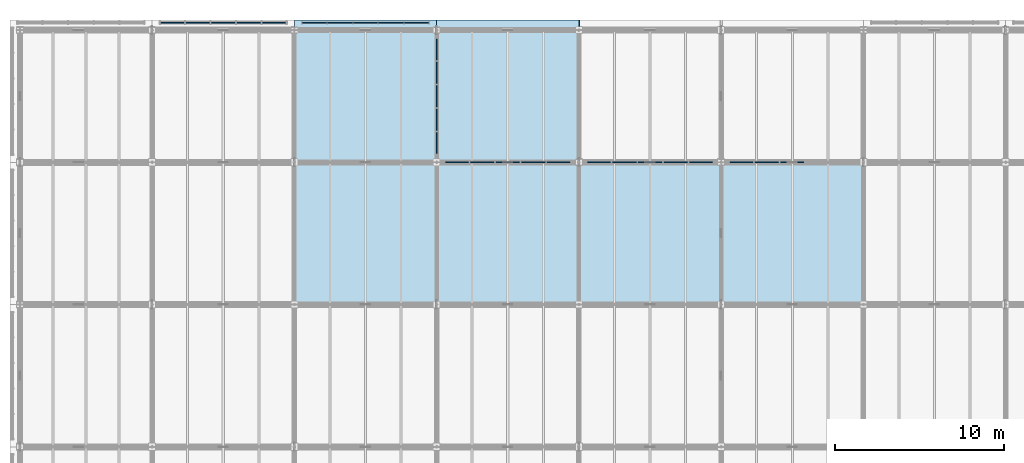
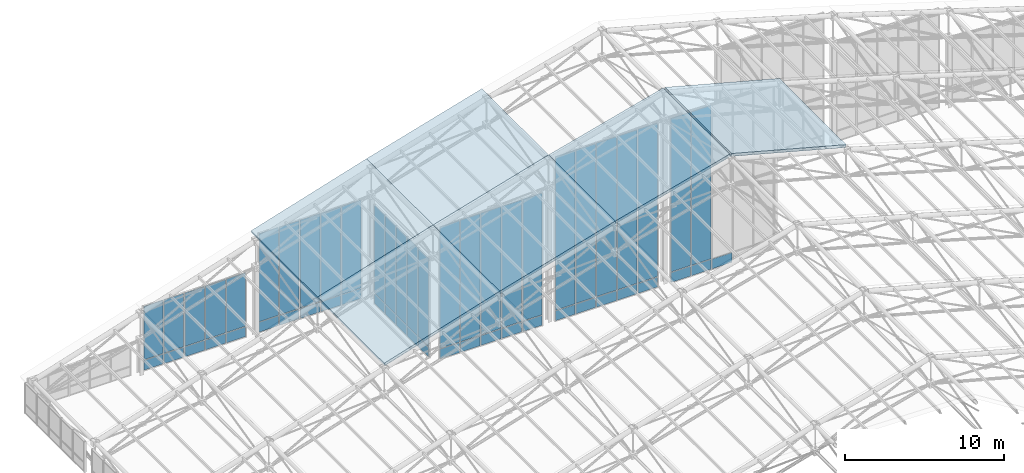
# One storey, part 109 of 144: 55 plates, 6 slabs, 6 elements without a shape of their own.
"""IFC4 building model written with IfcOpenShell, lengths in metres."""

from ifc_helpers import new_model, si_unit, direction, frame, origin, origin_2d, place, context, subcontext, project, spatial, polyline, rectangle, outline, extrude, material, layer, layer_set, type_object, element, aggregate, save


model = new_model("IFC4")

# Units and contexts
model_context = context("Model", 3, precision=1e-05, world=origin(), true_north=direction((0.0, 1.0)))
body_context = subcontext(model_context, "Body", "Model", "MODEL_VIEW")
ifc_project = project(units=[si_unit("LENGTHUNIT", "METRE"), si_unit("AREAUNIT", "SQUARE_METRE"), si_unit("VOLUMEUNIT", "CUBIC_METRE"), si_unit("PLANEANGLEUNIT", "RADIAN"), si_unit("MASSUNIT", "GRAM", prefix="KILO")], contexts=[model_context])

# Site, building, storey
site_placement = place(None, origin())
site = spatial("IfcSite", under=ifc_project, at=site_placement, CompositionType="ELEMENT")
building_placement = place(site_placement, origin())
building = spatial("IfcBuilding", under=site, at=building_placement, Name="Zayran Congress Hotel", CompositionType="ELEMENT")
storey_placement = place(building_placement, frame((0.0, 0.0, 19.199951171875)))
storey = spatial("IfcBuildingStorey", under=building, at=storey_placement, Name="L04", CompositionType="ELEMENT", Elevation=19.199951171875)

# Slabs
ifc_material_1 = material(Name="Concrete C32/40", Category="concrete")
ifc_layer_1 = layer(ifc_material_1, 0.219970703125)
ifc_layer_set_1 = layer_set([ifc_layer_1], Name="Concrete C32/40")
slab_type = type_object("IfcSlabType", Name="SL-RF-220", PredefinedType="ROOF", material=ifc_layer_set_1)
slab_1_placement = place(storey_placement, frame((25.199951171875, 101.199951171875, 7.699951171875), z_axis=(-0.29568915739, 0.0, 0.955284210171), x_axis=(0.955284210171, 0.0, 0.29568915739)))
element("IfcSlab", 1, at=slab_1_placement, inside=storey, type_object=slab_type, Name="V1 Vaulted Roof Facet 3-5", PredefinedType="ROOF", context=body_context, shape_type="SweptSolid", body=[
    extrude(outline(polyline([(0.0, 0.0), (8.793347984754979, 0.0), (8.793347984754979, 8.400146484375), (0.0, 8.400146484375), (0.0, 0.0)])), origin(), (0.0, 0.0, -1.0), 0.219970703125),
])
slab_2_placement = place(storey_placement, frame((25.199951171875, 109.60009765625, 7.699951171875), z_axis=(-0.29568915739, 0.0, 0.955284210171), x_axis=(0.955284210171, 0.0, 0.29568915739)))
element("IfcSlab", 2, at=slab_2_placement, inside=storey, type_object=slab_type, Name="V1 Vaulted Roof Facet 3-6", PredefinedType="ROOF", context=body_context, shape_type="SweptSolid", body=[
    extrude(outline(polyline([(0.0, 0.0), (8.793347984754979, 0.0), (8.793347984754979, 8.39990234375), (0.0, 8.39990234375), (0.0, 0.0)])), origin(), (0.0, 0.0, -1.0), 0.219970703125),
])
slab_3_placement = place(storey_placement, frame((33.60009765625, 101.199951171875, 10.300048828125), z_axis=(-0.279997857116, 0.0, 0.960000625005), x_axis=(0.960000625005, 0.0, 0.279997857116)))
element("IfcSlab", 3, at=slab_3_placement, inside=storey, type_object=slab_type, Name="V1 Vaulted Roof Facet 4-5", PredefinedType="ROOF", context=body_context, shape_type="SweptSolid", body=[
    extrude(outline(polyline([(0.0, 0.0), (8.749892578146799, 0.0), (8.749892578146799, 8.400146484375), (0.0, 8.400146484375), (0.0, 0.0)])), origin(), (0.0, 0.0, -1.0), 0.219970703125),
])
slab_4_placement = place(storey_placement, frame((33.60009765625, 109.60009765625, 10.300048828125), z_axis=(-0.279997857116, 0.0, 0.960000625005), x_axis=(0.960000625005, 0.0, 0.279997857116)))
element("IfcSlab", 4, at=slab_4_placement, inside=storey, type_object=slab_type, Name="V1 Vaulted Roof Facet 4-6", PredefinedType="ROOF", context=body_context, shape_type="SweptSolid", body=[
    extrude(outline(polyline([(0.0, 0.0), (8.749892578146799, 0.0), (8.749892578146799, 8.399902343750002), (0.0, 8.399902343750002), (0.0, 0.0)])), origin(), (0.0, 0.0, -1.0), 0.219970703125),
])
for number, where, z_axis, x_axis, name in (
    (5, (42.0, 101.199951171875, 12.75), (-0.258745513625, 0.0, 0.965945525989), (0.965945525989, 0.0, 0.258745513625), "V1 Vaulted Roof Facet 5-5"),
    (6, (50.465087890625, 101.199951171875, 14.982666015625), (0.258745513625, 0.0, 0.965945525989), (0.965945525989, 0.0, -0.258745513625), "V1 Vaulted Roof Facet 6-5"),
):
    element("IfcSlab", number, at=place(storey_placement, frame(where, z_axis=z_axis, x_axis=x_axis)), inside=storey, type_object=slab_type, Name=name, PredefinedType="ROOF", context=body_context, shape_type="SweptSolid", body=[
        extrude(outline(polyline([(0.0, 0.0), (8.628810541840496, 0.0), (8.628810541840496, 8.400146484375), (0.0, 8.400146484375), (0.0, 0.0)])), origin(), (0.0, 0.0, -1.0), 0.219970703125),
    ])

# Curtain wall, plates
ifc_material_2 = material(Name="Anodised aluminium and low-E insulated glass", Category="aluminium")
ifc_layer_2 = layer(ifc_material_2, 0.179931640625)
ifc_layer_set_2 = layer_set([ifc_layer_2], Name="Anodised aluminium and low-E insulated glass")
curtain_wall_type_1 = type_object("IfcCurtainWallType", Name="CW-V1CL-L04-CW-24-6960-7670", PredefinedType="USERDEFINED", material=ifc_layer_set_2)
curtain_wall_1_placement = place(storey_placement, origin())
curtain_wall_1 = element("IfcCurtainWall", 7, at=curtain_wall_1_placement, inside=storey, type_object=curtain_wall_type_1, Name="CW-V1CLNW", ObjectType="CURTAIN WALL", PredefinedType="USERDEFINED")
ifc_material_3 = material(Name="Insulated warm bronze aluminium spandrel panel", Category="aluminium")
ifc_layer_3 = layer(ifc_material_3, 0.06005859375)
ifc_layer_set_3 = layer_set([ifc_layer_3], Name="Insulated warm bronze aluminium spandrel panel")
plate_type_1 = type_object("IfcPlateType", Name="CWP-SP-1272-750", PredefinedType="CURTAIN_PANEL", material=ifc_layer_set_3)
plate_1_placement = place(storey_placement, frame((33.60009765625, 110.736083984375, -0.159912109375), z_axis=(0.0, 0.0, 1.0), x_axis=(0.0, 1.0, 0.0)))
plate_1 = element("IfcPlate", 8, at=plate_1_placement, type_object=plate_type_1, Name="CW-24 Spandrel Panel 1", PredefinedType="CURTAIN_PANEL", context=body_context, shape_type="SweptSolid", body=[
    extrude(rectangle(XDim=1.27197265625, YDim=0.06005859375, at=origin_2d()), origin(), (0.0, 0.0, 1.0), 0.75),
])
plate_2_placement = place(storey_placement, frame((33.60009765625, 112.10791015625, -0.159912109375), z_axis=(0.0, 0.0, 1.0), x_axis=(0.0, 1.0, 0.0)))
plate_2 = element("IfcPlate", 9, at=plate_2_placement, type_object=plate_type_1, Name="CW-24 Spandrel Panel 2", PredefinedType="CURTAIN_PANEL", context=body_context, shape_type="SweptSolid", body=[
    extrude(rectangle(XDim=1.31201171875, YDim=0.06005859375, at=origin_2d()), origin(), (0.0, 0.0, 1.0), 0.75),
])
plate_3_placement = place(storey_placement, frame((33.60009765625, 113.5, -0.159912109375), z_axis=(0.0, 0.0, 1.0), x_axis=(0.0, 1.0, 0.0)))
plate_3 = element("IfcPlate", 10, at=plate_3_placement, type_object=plate_type_1, Name="CW-24 Spandrel Panel 3", PredefinedType="CURTAIN_PANEL", context=body_context, shape_type="SweptSolid", body=[
    extrude(rectangle(XDim=1.31201171875, YDim=0.06005859375, at=origin_2d()), origin(), (0.0, 0.0, 1.0), 0.75),
])
plate_4_placement = place(storey_placement, frame((33.60009765625, 114.89208984375, -0.159912109375), z_axis=(0.0, 0.0, 1.0), x_axis=(0.0, 1.0, 0.0)))
plate_4 = element("IfcPlate", 11, at=plate_4_placement, type_object=plate_type_1, Name="CW-24 Spandrel Panel 4", PredefinedType="CURTAIN_PANEL", context=body_context, shape_type="SweptSolid", body=[
    extrude(rectangle(XDim=1.31201171875, YDim=0.06005859375, at=origin_2d()), origin(), (0.0, 0.0, 1.0), 0.75),
])
plate_5_placement = place(storey_placement, frame((33.60009765625, 116.263916015625, -0.159912109375), z_axis=(0.0, 0.0, 1.0), x_axis=(0.0, 1.0, 0.0)))
plate_5 = element("IfcPlate", 12, at=plate_5_placement, type_object=plate_type_1, Name="CW-24 Spandrel Panel 5", PredefinedType="CURTAIN_PANEL", context=body_context, shape_type="SweptSolid", body=[
    extrude(rectangle(XDim=1.27197265625, YDim=0.06005859375, at=origin_2d()), origin(), (0.0, 0.0, 1.0), 0.75),
])

ifc_layer_4 = layer(ifc_material_2, 0.179931640625)
ifc_layer_set_4 = layer_set([ifc_layer_4], Name="Anodised aluminium and low-E insulated glass")
curtain_wall_type_2 = type_object("IfcCurtainWallType", Name="CW-V1CL-L04-CW-22-7560-5020", PredefinedType="USERDEFINED", material=ifc_layer_set_4)
curtain_wall_2_placement = place(storey_placement, origin())
curtain_wall_2 = element("IfcCurtainWall", 13, at=curtain_wall_2_placement, inside=storey, type_object=curtain_wall_type_2, Name="CW-V1CLN-1", ObjectType="CURTAIN WALL", PredefinedType="USERDEFINED")
ifc_layer_5 = layer(ifc_material_3, 0.06005859375)
ifc_layer_set_5 = layer_set([ifc_layer_5], Name="Insulated warm bronze aluminium spandrel panel")
plate_type_2 = type_object("IfcPlateType", Name="CWP-SP-1392-750", PredefinedType="CURTAIN_PANEL", material=ifc_layer_set_5)
plate_6_placement = place(storey_placement, frame((24.00390625, 117.85009765625, -0.159912109375), z_axis=(0.0, 0.0, 1.0), x_axis=(1.0, 0.0, 0.0)))
plate_6 = element("IfcPlate", 14, at=plate_6_placement, type_object=plate_type_2, Name="CW-22 Spandrel Panel 1", PredefinedType="CURTAIN_PANEL", context=body_context, shape_type="SweptSolid", body=[
    extrude(rectangle(XDim=1.39208984375, YDim=0.06005859375, at=origin_2d()), origin(), (0.0, 0.0, 1.0), 0.75),
])
plate_7_placement = place(storey_placement, frame((22.511962890625, 117.85009765625, -0.159912109375), z_axis=(0.0, 0.0, 1.0), x_axis=(1.0, 0.0, 0.0)))
plate_7 = element("IfcPlate", 15, at=plate_7_placement, type_object=plate_type_2, Name="CW-22 Spandrel Panel 2", PredefinedType="CURTAIN_PANEL", context=body_context, shape_type="SweptSolid", body=[
    extrude(rectangle(XDim=1.431884765625, YDim=0.06005859375, at=origin_2d()), origin(), (0.0, 0.0, 1.0), 0.75),
])
plate_8_placement = place(storey_placement, frame((21.0, 117.85009765625, -0.159912109375), z_axis=(0.0, 0.0, 1.0), x_axis=(1.0, 0.0, 0.0)))
plate_8 = element("IfcPlate", 16, at=plate_8_placement, type_object=plate_type_2, Name="CW-22 Spandrel Panel 3", PredefinedType="CURTAIN_PANEL", context=body_context, shape_type="SweptSolid", body=[
    extrude(rectangle(XDim=1.431884765625, YDim=0.06005859375, at=origin_2d()), origin(), (0.0, 0.0, 1.0), 0.75),
])
plate_9_placement = place(storey_placement, frame((19.488037109375, 117.85009765625, -0.159912109375), z_axis=(0.0, 0.0, 1.0), x_axis=(1.0, 0.0, 0.0)))
plate_9 = element("IfcPlate", 17, at=plate_9_placement, type_object=plate_type_2, Name="CW-22 Spandrel Panel 4", PredefinedType="CURTAIN_PANEL", context=body_context, shape_type="SweptSolid", body=[
    extrude(rectangle(XDim=1.431884765625, YDim=0.06005859375, at=origin_2d()), origin(), (0.0, 0.0, 1.0), 0.75),
])
plate_10_placement = place(storey_placement, frame((17.99609375, 117.85009765625, -0.159912109375), z_axis=(0.0, 0.0, 1.0), x_axis=(1.0, 0.0, 0.0)))
plate_10 = element("IfcPlate", 18, at=plate_10_placement, type_object=plate_type_2, Name="CW-22 Spandrel Panel 5", PredefinedType="CURTAIN_PANEL", context=body_context, shape_type="SweptSolid", body=[
    extrude(rectangle(XDim=1.39208984375, YDim=0.06005859375, at=origin_2d()), origin(), (0.0, 0.0, 1.0), 0.75),
])

ifc_layer_6 = layer(ifc_material_2, 0.179931640625)
ifc_layer_set_6 = layer_set([ifc_layer_6], Name="Anodised aluminium and low-E insulated glass")
curtain_wall_type_3 = type_object("IfcCurtainWallType", Name="CW-V1CL-L04-CW-23-7560-7670", PredefinedType="USERDEFINED", material=ifc_layer_set_6)
curtain_wall_3_placement = place(storey_placement, origin())
curtain_wall_3 = element("IfcCurtainWall", 19, at=curtain_wall_3_placement, inside=storey, type_object=curtain_wall_type_3, Name="CW-V1CLN-2", ObjectType="CURTAIN WALL", PredefinedType="USERDEFINED")
plate_11_placement = place(storey_placement, frame((32.404052734375, 117.85009765625, -0.159912109375), z_axis=(0.0, 0.0, 1.0), x_axis=(1.0, 0.0, 0.0)))
plate_11 = element("IfcPlate", 20, at=plate_11_placement, type_object=plate_type_2, Name="CW-23 Spandrel Panel 1", PredefinedType="CURTAIN_PANEL", context=body_context, shape_type="SweptSolid", body=[
    extrude(rectangle(XDim=1.39208984375, YDim=0.06005859375, at=origin_2d()), origin(), (0.0, 0.0, 1.0), 0.75),
])
plate_12_placement = place(storey_placement, frame((30.912109375, 117.85009765625, -0.159912109375), z_axis=(0.0, 0.0, 1.0), x_axis=(1.0, 0.0, 0.0)))
plate_12 = element("IfcPlate", 21, at=plate_12_placement, type_object=plate_type_2, Name="CW-23 Spandrel Panel 2", PredefinedType="CURTAIN_PANEL", context=body_context, shape_type="SweptSolid", body=[
    extrude(rectangle(XDim=1.431884765625, YDim=0.06005859375, at=origin_2d()), origin(), (0.0, 0.0, 1.0), 0.75),
])
plate_13_placement = place(storey_placement, frame((29.39990234375, 117.85009765625, -0.159912109375), z_axis=(0.0, 0.0, 1.0), x_axis=(1.0, 0.0, 0.0)))
plate_13 = element("IfcPlate", 22, at=plate_13_placement, type_object=plate_type_2, Name="CW-23 Spandrel Panel 3", PredefinedType="CURTAIN_PANEL", context=body_context, shape_type="SweptSolid", body=[
    extrude(rectangle(XDim=1.431884765625, YDim=0.06005859375, at=origin_2d()), origin(), (0.0, 0.0, 1.0), 0.75),
])
plate_14_placement = place(storey_placement, frame((27.887939453125, 117.85009765625, -0.159912109375), z_axis=(0.0, 0.0, 1.0), x_axis=(1.0, 0.0, 0.0)))
plate_14 = element("IfcPlate", 23, at=plate_14_placement, type_object=plate_type_2, Name="CW-23 Spandrel Panel 4", PredefinedType="CURTAIN_PANEL", context=body_context, shape_type="SweptSolid", body=[
    extrude(rectangle(XDim=1.431884765625, YDim=0.06005859375, at=origin_2d()), origin(), (0.0, 0.0, 1.0), 0.75),
])
plate_15_placement = place(storey_placement, frame((26.39599609375, 117.85009765625, -0.159912109375), z_axis=(0.0, 0.0, 1.0), x_axis=(1.0, 0.0, 0.0)))
plate_15 = element("IfcPlate", 24, at=plate_15_placement, type_object=plate_type_2, Name="CW-23 Spandrel Panel 5", PredefinedType="CURTAIN_PANEL", context=body_context, shape_type="SweptSolid", body=[
    extrude(rectangle(XDim=1.39208984375, YDim=0.06005859375, at=origin_2d()), origin(), (0.0, 0.0, 1.0), 0.75),
])

ifc_layer_7 = layer(ifc_material_2, 0.179931640625)
ifc_layer_set_7 = layer_set([ifc_layer_7], Name="Anodised aluminium and low-E insulated glass")
curtain_wall_type_4 = type_object("IfcCurtainWallType", Name="CW-V1CL-L04-CW-21-7560-10270", PredefinedType="USERDEFINED", material=ifc_layer_set_7)
curtain_wall_4_placement = place(storey_placement, origin())
curtain_wall_4 = element("IfcCurtainWall", 25, at=curtain_wall_4_placement, inside=storey, type_object=curtain_wall_type_4, Name="CW-V1CLN-3", ObjectType="CURTAIN WALL", PredefinedType="USERDEFINED")
plate_16_placement = place(storey_placement, frame((40.803955078125, 109.60009765625, -0.159912109375), z_axis=(0.0, 0.0, 1.0), x_axis=(1.0, 0.0, 0.0)))
plate_16 = element("IfcPlate", 26, at=plate_16_placement, type_object=plate_type_2, Name="CW-21 Spandrel Panel 1", PredefinedType="CURTAIN_PANEL", context=body_context, shape_type="SweptSolid", body=[
    extrude(rectangle(XDim=1.39208984375, YDim=0.06005859375, at=origin_2d()), origin(), (0.0, 0.0, 1.0), 0.75),
])
plate_17_placement = place(storey_placement, frame((39.31201171875, 109.60009765625, -0.159912109375), z_axis=(0.0, 0.0, 1.0), x_axis=(1.0, 0.0, 0.0)))
plate_17 = element("IfcPlate", 27, at=plate_17_placement, type_object=plate_type_2, Name="CW-21 Spandrel Panel 2", PredefinedType="CURTAIN_PANEL", context=body_context, shape_type="SweptSolid", body=[
    extrude(rectangle(XDim=1.431884765625, YDim=0.06005859375, at=origin_2d()), origin(), (0.0, 0.0, 1.0), 0.75),
])
plate_18_placement = place(storey_placement, frame((37.800048828125, 109.60009765625, -0.159912109375), z_axis=(0.0, 0.0, 1.0), x_axis=(1.0, 0.0, 0.0)))
plate_18 = element("IfcPlate", 28, at=plate_18_placement, type_object=plate_type_2, Name="CW-21 Spandrel Panel 3", PredefinedType="CURTAIN_PANEL", context=body_context, shape_type="SweptSolid", body=[
    extrude(rectangle(XDim=1.431884765625, YDim=0.06005859375, at=origin_2d()), origin(), (0.0, 0.0, 1.0), 0.75),
])
plate_19_placement = place(storey_placement, frame((36.2880859375, 109.60009765625, -0.159912109375), z_axis=(0.0, 0.0, 1.0), x_axis=(1.0, 0.0, 0.0)))
plate_19 = element("IfcPlate", 29, at=plate_19_placement, type_object=plate_type_2, Name="CW-21 Spandrel Panel 4", PredefinedType="CURTAIN_PANEL", context=body_context, shape_type="SweptSolid", body=[
    extrude(rectangle(XDim=1.431884765625, YDim=0.06005859375, at=origin_2d()), origin(), (0.0, 0.0, 1.0), 0.75),
])
plate_20_placement = place(storey_placement, frame((34.7958984375, 109.60009765625, -0.159912109375), z_axis=(0.0, 0.0, 1.0), x_axis=(1.0, 0.0, 0.0)))
plate_20 = element("IfcPlate", 30, at=plate_20_placement, type_object=plate_type_2, Name="CW-21 Spandrel Panel 5", PredefinedType="CURTAIN_PANEL", context=body_context, shape_type="SweptSolid", body=[
    extrude(rectangle(XDim=1.39208984375, YDim=0.06005859375, at=origin_2d()), origin(), (0.0, 0.0, 1.0), 0.75),
])

ifc_layer_8 = layer(ifc_material_2, 0.179931640625)
ifc_layer_set_8 = layer_set([ifc_layer_8], Name="Anodised aluminium and low-E insulated glass")
curtain_wall_type_5 = type_object("IfcCurtainWallType", Name="CW-V1CL-L04-CW-22-7560-12720", PredefinedType="USERDEFINED", material=ifc_layer_set_8)
curtain_wall_5_placement = place(storey_placement, origin())
curtain_wall_5 = element("IfcCurtainWall", 31, at=curtain_wall_5_placement, inside=storey, type_object=curtain_wall_type_5, Name="CW-V1CLN-4", ObjectType="CURTAIN WALL", PredefinedType="USERDEFINED")
plate_21_placement = place(storey_placement, frame((49.2041015625, 109.60009765625, -0.159912109375), z_axis=(0.0, 0.0, 1.0), x_axis=(1.0, 0.0, 0.0)))
plate_21 = element("IfcPlate", 32, at=plate_21_placement, type_object=plate_type_2, Name="CW-22 Spandrel Panel 1", PredefinedType="CURTAIN_PANEL", context=body_context, shape_type="SweptSolid", body=[
    extrude(rectangle(XDim=1.39208984375, YDim=0.06005859375, at=origin_2d()), origin(), (0.0, 0.0, 1.0), 0.75),
])
plate_22_placement = place(storey_placement, frame((47.7119140625, 109.60009765625, -0.159912109375), z_axis=(0.0, 0.0, 1.0), x_axis=(1.0, 0.0, 0.0)))
plate_22 = element("IfcPlate", 33, at=plate_22_placement, type_object=plate_type_2, Name="CW-22 Spandrel Panel 2", PredefinedType="CURTAIN_PANEL", context=body_context, shape_type="SweptSolid", body=[
    extrude(rectangle(XDim=1.431884765625, YDim=0.06005859375, at=origin_2d()), origin(), (0.0, 0.0, 1.0), 0.75),
])
plate_23_placement = place(storey_placement, frame((46.199951171875, 109.60009765625, -0.159912109375), z_axis=(0.0, 0.0, 1.0), x_axis=(1.0, 0.0, 0.0)))
plate_23 = element("IfcPlate", 34, at=plate_23_placement, type_object=plate_type_2, Name="CW-22 Spandrel Panel 3", PredefinedType="CURTAIN_PANEL", context=body_context, shape_type="SweptSolid", body=[
    extrude(rectangle(XDim=1.431884765625, YDim=0.06005859375, at=origin_2d()), origin(), (0.0, 0.0, 1.0), 0.75),
])
plate_24_placement = place(storey_placement, frame((44.68798828125, 109.60009765625, -0.159912109375), z_axis=(0.0, 0.0, 1.0), x_axis=(1.0, 0.0, 0.0)))
plate_24 = element("IfcPlate", 35, at=plate_24_placement, type_object=plate_type_2, Name="CW-22 Spandrel Panel 4", PredefinedType="CURTAIN_PANEL", context=body_context, shape_type="SweptSolid", body=[
    extrude(rectangle(XDim=1.431884765625, YDim=0.06005859375, at=origin_2d()), origin(), (0.0, 0.0, 1.0), 0.75),
])
plate_25_placement = place(storey_placement, frame((43.196044921875, 109.60009765625, -0.159912109375), z_axis=(0.0, 0.0, 1.0), x_axis=(1.0, 0.0, 0.0)))
plate_25 = element("IfcPlate", 36, at=plate_25_placement, type_object=plate_type_2, Name="CW-22 Spandrel Panel 5", PredefinedType="CURTAIN_PANEL", context=body_context, shape_type="SweptSolid", body=[
    extrude(rectangle(XDim=1.39208984375, YDim=0.06005859375, at=origin_2d()), origin(), (0.0, 0.0, 1.0), 0.75),
])

ifc_layer_9 = layer(ifc_material_2, 0.179931640625)
ifc_layer_set_9 = layer_set([ifc_layer_9], Name="Anodised aluminium and low-E insulated glass")
curtain_wall_type_6 = type_object("IfcCurtainWallType", Name="CW-V1CL-L04-CW-23-7560-12720", PredefinedType="USERDEFINED", material=ifc_layer_set_9)
curtain_wall_6_placement = place(storey_placement, origin())
curtain_wall_6 = element("IfcCurtainWall", 37, at=curtain_wall_6_placement, inside=storey, type_object=curtain_wall_type_6, Name="CW-V1CLN-5", ObjectType="CURTAIN WALL", PredefinedType="USERDEFINED")
plate_26_placement = place(storey_placement, frame((54.60009765625, 109.60009765625, -0.159912109375), z_axis=(0.0, 0.0, 1.0), x_axis=(1.0, 0.0, 0.0)))
plate_26 = element("IfcPlate", 38, at=plate_26_placement, type_object=plate_type_2, Name="CW-23 Spandrel Panel 3", PredefinedType="CURTAIN_PANEL", context=body_context, shape_type="SweptSolid", body=[
    extrude(rectangle(XDim=1.431884765625, YDim=0.06005859375, at=origin_2d()), origin(), (0.0, 0.0, 1.0), 0.75),
])
plate_27_placement = place(storey_placement, frame((53.087890625, 109.60009765625, -0.159912109375), z_axis=(0.0, 0.0, 1.0), x_axis=(1.0, 0.0, 0.0)))
plate_27 = element("IfcPlate", 39, at=plate_27_placement, type_object=plate_type_2, Name="CW-23 Spandrel Panel 4", PredefinedType="CURTAIN_PANEL", context=body_context, shape_type="SweptSolid", body=[
    extrude(rectangle(XDim=1.431884765625, YDim=0.06005859375, at=origin_2d()), origin(), (0.0, 0.0, 1.0), 0.75),
])
plate_28_placement = place(storey_placement, frame((51.595947265625, 109.60009765625, -0.159912109375), z_axis=(0.0, 0.0, 1.0), x_axis=(1.0, 0.0, 0.0)))
plate_28 = element("IfcPlate", 40, at=plate_28_placement, type_object=plate_type_2, Name="CW-23 Spandrel Panel 5", PredefinedType="CURTAIN_PANEL", context=body_context, shape_type="SweptSolid", body=[
    extrude(rectangle(XDim=1.39208984375, YDim=0.06005859375, at=origin_2d()), origin(), (0.0, 0.0, 1.0), 0.75),
])

# Plate
ifc_layer_10 = layer(ifc_material_3, 0.06005859375)
ifc_layer_set_10 = layer_set([ifc_layer_10], Name="Insulated warm bronze aluminium spandrel panel")
plate_type_3 = type_object("IfcPlateType", Name="CWP-SP-1392-4090", PredefinedType="CURTAIN_PANEL", material=ifc_layer_set_10)
plate_29_placement = place(storey_placement, frame((24.00390625, 117.85009765625, 0.64990234375), z_axis=(0.0, 0.0, 1.0), x_axis=(1.0, 0.0, 0.0)))
plate_29 = element("IfcPlate", 41, at=plate_29_placement, type_object=plate_type_3, Name="CW-22 Upper Spandrel Panel 1", PredefinedType="CURTAIN_PANEL", context=body_context, shape_type="SweptSolid", body=[
    extrude(rectangle(XDim=1.39208984375, YDim=0.06005859375, at=origin_2d()), origin(), (0.0, 0.0, 1.0), 4.090087890625),
])

plate_30_placement = place(storey_placement, frame((22.511962890625, 117.85009765625, 0.64990234375), z_axis=(0.0, 0.0, 1.0), x_axis=(1.0, 0.0, 0.0)))
plate_30 = element("IfcPlate", 42, at=plate_30_placement, type_object=plate_type_3, Name="CW-22 Upper Spandrel Panel 2", PredefinedType="CURTAIN_PANEL", context=body_context, shape_type="SweptSolid", body=[
    extrude(rectangle(XDim=1.431884765625, YDim=0.06005859375, at=origin_2d()), origin(), (0.0, 0.0, 1.0), 4.090087890625),
])

plate_31_placement = place(storey_placement, frame((21.0, 117.85009765625, 0.64990234375), z_axis=(0.0, 0.0, 1.0), x_axis=(1.0, 0.0, 0.0)))
plate_31 = element("IfcPlate", 43, at=plate_31_placement, type_object=plate_type_3, Name="CW-22 Upper Spandrel Panel 3", PredefinedType="CURTAIN_PANEL", context=body_context, shape_type="SweptSolid", body=[
    extrude(rectangle(XDim=1.431884765625, YDim=0.06005859375, at=origin_2d()), origin(), (0.0, 0.0, 1.0), 4.090087890625),
])

plate_32_placement = place(storey_placement, frame((19.488037109375, 117.85009765625, 0.64990234375), z_axis=(0.0, 0.0, 1.0), x_axis=(1.0, 0.0, 0.0)))
plate_32 = element("IfcPlate", 44, at=plate_32_placement, type_object=plate_type_3, Name="CW-22 Upper Spandrel Panel 4", PredefinedType="CURTAIN_PANEL", context=body_context, shape_type="SweptSolid", body=[
    extrude(rectangle(XDim=1.431884765625, YDim=0.06005859375, at=origin_2d()), origin(), (0.0, 0.0, 1.0), 4.090087890625),
])

plate_33_placement = place(storey_placement, frame((17.99609375, 117.85009765625, 0.64990234375), z_axis=(0.0, 0.0, 1.0), x_axis=(1.0, 0.0, 0.0)))
plate_33 = element("IfcPlate", 45, at=plate_33_placement, type_object=plate_type_3, Name="CW-22 Upper Spandrel Panel 5", PredefinedType="CURTAIN_PANEL", context=body_context, shape_type="SweptSolid", body=[
    extrude(rectangle(XDim=1.39208984375, YDim=0.06005859375, at=origin_2d()), origin(), (0.0, 0.0, 1.0), 4.090087890625),
])

aggregate(curtain_wall_2, [plate_6, plate_29, plate_7, plate_30, plate_8, plate_31, plate_9, plate_32, plate_10, plate_33])

ifc_layer_11 = layer(ifc_material_3, 0.06005859375)
ifc_layer_set_11 = layer_set([ifc_layer_11], Name="Insulated warm bronze aluminium spandrel panel")
plate_type_4 = type_object("IfcPlateType", Name="CWP-SP-1392-6740", PredefinedType="CURTAIN_PANEL", material=ifc_layer_set_11)
plate_34_placement = place(storey_placement, frame((32.404052734375, 117.85009765625, 0.64990234375), z_axis=(0.0, 0.0, 1.0), x_axis=(1.0, 0.0, 0.0)))
plate_34 = element("IfcPlate", 46, at=plate_34_placement, type_object=plate_type_4, Name="CW-23 Upper Spandrel Panel 1", PredefinedType="CURTAIN_PANEL", context=body_context, shape_type="SweptSolid", body=[
    extrude(rectangle(XDim=1.39208984375, YDim=0.06005859375, at=origin_2d()), origin(), (0.0, 0.0, 1.0), 6.739990234375),
])

plate_35_placement = place(storey_placement, frame((30.912109375, 117.85009765625, 0.64990234375), z_axis=(0.0, 0.0, 1.0), x_axis=(1.0, 0.0, 0.0)))
plate_35 = element("IfcPlate", 47, at=plate_35_placement, type_object=plate_type_4, Name="CW-23 Upper Spandrel Panel 2", PredefinedType="CURTAIN_PANEL", context=body_context, shape_type="SweptSolid", body=[
    extrude(rectangle(XDim=1.431884765625, YDim=0.06005859375, at=origin_2d()), origin(), (0.0, 0.0, 1.0), 6.739990234375),
])

plate_36_placement = place(storey_placement, frame((29.39990234375, 117.85009765625, 0.64990234375), z_axis=(0.0, 0.0, 1.0), x_axis=(1.0, 0.0, 0.0)))
plate_36 = element("IfcPlate", 48, at=plate_36_placement, type_object=plate_type_4, Name="CW-23 Upper Spandrel Panel 3", PredefinedType="CURTAIN_PANEL", context=body_context, shape_type="SweptSolid", body=[
    extrude(rectangle(XDim=1.431884765625, YDim=0.06005859375, at=origin_2d()), origin(), (0.0, 0.0, 1.0), 6.739990234375),
])

plate_37_placement = place(storey_placement, frame((27.887939453125, 117.85009765625, 0.64990234375), z_axis=(0.0, 0.0, 1.0), x_axis=(1.0, 0.0, 0.0)))
plate_37 = element("IfcPlate", 49, at=plate_37_placement, type_object=plate_type_4, Name="CW-23 Upper Spandrel Panel 4", PredefinedType="CURTAIN_PANEL", context=body_context, shape_type="SweptSolid", body=[
    extrude(rectangle(XDim=1.431884765625, YDim=0.06005859375, at=origin_2d()), origin(), (0.0, 0.0, 1.0), 6.739990234375),
])

plate_38_placement = place(storey_placement, frame((26.39599609375, 117.85009765625, 0.64990234375), z_axis=(0.0, 0.0, 1.0), x_axis=(1.0, 0.0, 0.0)))
plate_38 = element("IfcPlate", 50, at=plate_38_placement, type_object=plate_type_4, Name="CW-23 Upper Spandrel Panel 5", PredefinedType="CURTAIN_PANEL", context=body_context, shape_type="SweptSolid", body=[
    extrude(rectangle(XDim=1.39208984375, YDim=0.06005859375, at=origin_2d()), origin(), (0.0, 0.0, 1.0), 6.739990234375),
])

aggregate(curtain_wall_3, [plate_11, plate_34, plate_12, plate_35, plate_13, plate_36, plate_14, plate_37, plate_15, plate_38])

ifc_layer_12 = layer(ifc_material_3, 0.06005859375)
ifc_layer_set_12 = layer_set([ifc_layer_12], Name="Insulated warm bronze aluminium spandrel panel")
plate_type_5 = type_object("IfcPlateType", Name="CWP-SP-1392-9340", PredefinedType="CURTAIN_PANEL", material=ifc_layer_set_12)
plate_39_placement = place(storey_placement, frame((40.803955078125, 109.60009765625, 0.64990234375), z_axis=(0.0, 0.0, 1.0), x_axis=(1.0, 0.0, 0.0)))
plate_39 = element("IfcPlate", 51, at=plate_39_placement, type_object=plate_type_5, Name="CW-21 Upper Spandrel Panel 1", PredefinedType="CURTAIN_PANEL", context=body_context, shape_type="SweptSolid", body=[
    extrude(rectangle(XDim=1.39208984375, YDim=0.06005859375, at=origin_2d()), origin(), (0.0, 0.0, 1.0), 9.340087890625),
])

plate_40_placement = place(storey_placement, frame((39.31201171875, 109.60009765625, 0.64990234375), z_axis=(0.0, 0.0, 1.0), x_axis=(1.0, 0.0, 0.0)))
plate_40 = element("IfcPlate", 52, at=plate_40_placement, type_object=plate_type_5, Name="CW-21 Upper Spandrel Panel 2", PredefinedType="CURTAIN_PANEL", context=body_context, shape_type="SweptSolid", body=[
    extrude(rectangle(XDim=1.431884765625, YDim=0.06005859375, at=origin_2d()), origin(), (0.0, 0.0, 1.0), 9.340087890625),
])

plate_41_placement = place(storey_placement, frame((37.800048828125, 109.60009765625, 0.64990234375), z_axis=(0.0, 0.0, 1.0), x_axis=(1.0, 0.0, 0.0)))
plate_41 = element("IfcPlate", 53, at=plate_41_placement, type_object=plate_type_5, Name="CW-21 Upper Spandrel Panel 3", PredefinedType="CURTAIN_PANEL", context=body_context, shape_type="SweptSolid", body=[
    extrude(rectangle(XDim=1.431884765625, YDim=0.06005859375, at=origin_2d()), origin(), (0.0, 0.0, 1.0), 9.340087890625),
])

plate_42_placement = place(storey_placement, frame((36.2880859375, 109.60009765625, 0.64990234375), z_axis=(0.0, 0.0, 1.0), x_axis=(1.0, 0.0, 0.0)))
plate_42 = element("IfcPlate", 54, at=plate_42_placement, type_object=plate_type_5, Name="CW-21 Upper Spandrel Panel 4", PredefinedType="CURTAIN_PANEL", context=body_context, shape_type="SweptSolid", body=[
    extrude(rectangle(XDim=1.431884765625, YDim=0.06005859375, at=origin_2d()), origin(), (0.0, 0.0, 1.0), 9.340087890625),
])

plate_43_placement = place(storey_placement, frame((34.7958984375, 109.60009765625, 0.64990234375), z_axis=(0.0, 0.0, 1.0), x_axis=(1.0, 0.0, 0.0)))
plate_43 = element("IfcPlate", 55, at=plate_43_placement, type_object=plate_type_5, Name="CW-21 Upper Spandrel Panel 5", PredefinedType="CURTAIN_PANEL", context=body_context, shape_type="SweptSolid", body=[
    extrude(rectangle(XDim=1.39208984375, YDim=0.06005859375, at=origin_2d()), origin(), (0.0, 0.0, 1.0), 9.340087890625),
])

aggregate(curtain_wall_4, [plate_16, plate_39, plate_17, plate_40, plate_18, plate_41, plate_19, plate_42, plate_20, plate_43])

ifc_layer_13 = layer(ifc_material_3, 0.06005859375)
ifc_layer_set_13 = layer_set([ifc_layer_13], Name="Insulated warm bronze aluminium spandrel panel")
plate_type_6 = type_object("IfcPlateType", Name="CWP-SP-1392-11790", PredefinedType="CURTAIN_PANEL", material=ifc_layer_set_13)
plate_44_placement = place(storey_placement, frame((49.2041015625, 109.60009765625, 0.650146484375), z_axis=(0.0, 0.0, 1.0), x_axis=(1.0, 0.0, 0.0)))
plate_44 = element("IfcPlate", 56, at=plate_44_placement, type_object=plate_type_6, Name="CW-22 Upper Spandrel Panel 1", PredefinedType="CURTAIN_PANEL", context=body_context, shape_type="SweptSolid", body=[
    extrude(rectangle(XDim=1.39208984375, YDim=0.06005859375, at=origin_2d()), origin(), (0.0, 0.0, 1.0), 11.7900390625),
])

plate_45_placement = place(storey_placement, frame((47.7119140625, 109.60009765625, 0.650146484375), z_axis=(0.0, 0.0, 1.0), x_axis=(1.0, 0.0, 0.0)))
plate_45 = element("IfcPlate", 57, at=plate_45_placement, type_object=plate_type_6, Name="CW-22 Upper Spandrel Panel 2", PredefinedType="CURTAIN_PANEL", context=body_context, shape_type="SweptSolid", body=[
    extrude(rectangle(XDim=1.431884765625, YDim=0.06005859375, at=origin_2d()), origin(), (0.0, 0.0, 1.0), 11.7900390625),
])

plate_46_placement = place(storey_placement, frame((46.199951171875, 109.60009765625, 0.650146484375), z_axis=(0.0, 0.0, 1.0), x_axis=(1.0, 0.0, 0.0)))
plate_46 = element("IfcPlate", 58, at=plate_46_placement, type_object=plate_type_6, Name="CW-22 Upper Spandrel Panel 3", PredefinedType="CURTAIN_PANEL", context=body_context, shape_type="SweptSolid", body=[
    extrude(rectangle(XDim=1.431884765625, YDim=0.06005859375, at=origin_2d()), origin(), (0.0, 0.0, 1.0), 11.7900390625),
])

plate_47_placement = place(storey_placement, frame((44.68798828125, 109.60009765625, 0.650146484375), z_axis=(0.0, 0.0, 1.0), x_axis=(1.0, 0.0, 0.0)))
plate_47 = element("IfcPlate", 59, at=plate_47_placement, type_object=plate_type_6, Name="CW-22 Upper Spandrel Panel 4", PredefinedType="CURTAIN_PANEL", context=body_context, shape_type="SweptSolid", body=[
    extrude(rectangle(XDim=1.431884765625, YDim=0.06005859375, at=origin_2d()), origin(), (0.0, 0.0, 1.0), 11.7900390625),
])

plate_48_placement = place(storey_placement, frame((43.196044921875, 109.60009765625, 0.650146484375), z_axis=(0.0, 0.0, 1.0), x_axis=(1.0, 0.0, 0.0)))
plate_48 = element("IfcPlate", 60, at=plate_48_placement, type_object=plate_type_6, Name="CW-22 Upper Spandrel Panel 5", PredefinedType="CURTAIN_PANEL", context=body_context, shape_type="SweptSolid", body=[
    extrude(rectangle(XDim=1.39208984375, YDim=0.06005859375, at=origin_2d()), origin(), (0.0, 0.0, 1.0), 11.7900390625),
])

aggregate(curtain_wall_5, [plate_21, plate_44, plate_22, plate_45, plate_23, plate_46, plate_24, plate_47, plate_25, plate_48])

plate_49_placement = place(storey_placement, frame((53.087890625, 109.60009765625, 0.650146484375), z_axis=(0.0, 0.0, 1.0), x_axis=(1.0, 0.0, 0.0)))
plate_49 = element("IfcPlate", 61, at=plate_49_placement, type_object=plate_type_6, Name="CW-23 Upper Spandrel Panel 4", PredefinedType="CURTAIN_PANEL", context=body_context, shape_type="SweptSolid", body=[
    extrude(rectangle(XDim=1.431884765625, YDim=0.06005859375, at=origin_2d()), origin(), (0.0, 0.0, 1.0), 11.7900390625),
])

plate_50_placement = place(storey_placement, frame((51.595947265625, 109.60009765625, 0.650146484375), z_axis=(0.0, 0.0, 1.0), x_axis=(1.0, 0.0, 0.0)))
plate_50 = element("IfcPlate", 62, at=plate_50_placement, type_object=plate_type_6, Name="CW-23 Upper Spandrel Panel 5", PredefinedType="CURTAIN_PANEL", context=body_context, shape_type="SweptSolid", body=[
    extrude(rectangle(XDim=1.39208984375, YDim=0.06005859375, at=origin_2d()), origin(), (0.0, 0.0, 1.0), 11.7900390625),
])

aggregate(curtain_wall_6, [plate_26, plate_27, plate_49, plate_28, plate_50])

ifc_layer_14 = layer(ifc_material_3, 0.06005859375)
ifc_layer_set_14 = layer_set([ifc_layer_14], Name="Insulated warm bronze aluminium spandrel panel")
plate_type_7 = type_object("IfcPlateType", Name="CWP-SP-1272-6740", PredefinedType="CURTAIN_PANEL", material=ifc_layer_set_14)
plate_51_placement = place(storey_placement, frame((33.60009765625, 110.736083984375, 0.64990234375), z_axis=(0.0, 0.0, 1.0), x_axis=(0.0, 1.0, 0.0)))
plate_51 = element("IfcPlate", 63, at=plate_51_placement, type_object=plate_type_7, Name="CW-24 Upper Spandrel Panel 1", PredefinedType="CURTAIN_PANEL", context=body_context, shape_type="SweptSolid", body=[
    extrude(rectangle(XDim=1.27197265625, YDim=0.06005859375, at=origin_2d()), origin(), (0.0, 0.0, 1.0), 6.739990234375),
])

plate_52_placement = place(storey_placement, frame((33.60009765625, 112.10791015625, 0.64990234375), z_axis=(0.0, 0.0, 1.0), x_axis=(0.0, 1.0, 0.0)))
plate_52 = element("IfcPlate", 64, at=plate_52_placement, type_object=plate_type_7, Name="CW-24 Upper Spandrel Panel 2", PredefinedType="CURTAIN_PANEL", context=body_context, shape_type="SweptSolid", body=[
    extrude(rectangle(XDim=1.31201171875, YDim=0.06005859375, at=origin_2d()), origin(), (0.0, 0.0, 1.0), 6.739990234375),
])

plate_53_placement = place(storey_placement, frame((33.60009765625, 113.5, 0.64990234375), z_axis=(0.0, 0.0, 1.0), x_axis=(0.0, 1.0, 0.0)))
plate_53 = element("IfcPlate", 65, at=plate_53_placement, type_object=plate_type_7, Name="CW-24 Upper Spandrel Panel 3", PredefinedType="CURTAIN_PANEL", context=body_context, shape_type="SweptSolid", body=[
    extrude(rectangle(XDim=1.31201171875, YDim=0.06005859375, at=origin_2d()), origin(), (0.0, 0.0, 1.0), 6.739990234375),
])

plate_54_placement = place(storey_placement, frame((33.60009765625, 114.89208984375, 0.64990234375), z_axis=(0.0, 0.0, 1.0), x_axis=(0.0, 1.0, 0.0)))
plate_54 = element("IfcPlate", 66, at=plate_54_placement, type_object=plate_type_7, Name="CW-24 Upper Spandrel Panel 4", PredefinedType="CURTAIN_PANEL", context=body_context, shape_type="SweptSolid", body=[
    extrude(rectangle(XDim=1.31201171875, YDim=0.06005859375, at=origin_2d()), origin(), (0.0, 0.0, 1.0), 6.739990234375),
])

plate_55_placement = place(storey_placement, frame((33.60009765625, 116.263916015625, 0.64990234375), z_axis=(0.0, 0.0, 1.0), x_axis=(0.0, 1.0, 0.0)))
plate_55 = element("IfcPlate", 67, at=plate_55_placement, type_object=plate_type_7, Name="CW-24 Upper Spandrel Panel 5", PredefinedType="CURTAIN_PANEL", context=body_context, shape_type="SweptSolid", body=[
    extrude(rectangle(XDim=1.27197265625, YDim=0.06005859375, at=origin_2d()), origin(), (0.0, 0.0, 1.0), 6.739990234375),
])

aggregate(curtain_wall_1, [plate_1, plate_51, plate_2, plate_52, plate_3, plate_53, plate_4, plate_54, plate_5, plate_55])

save(model, "model.ifc")
